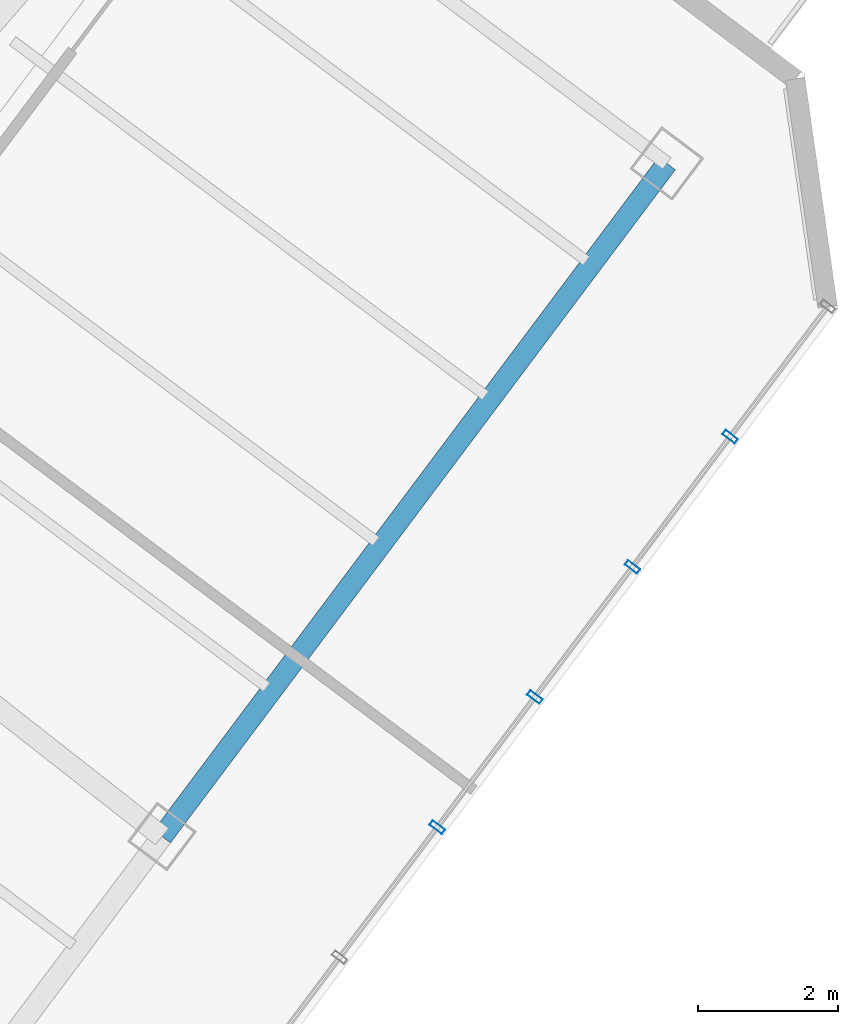
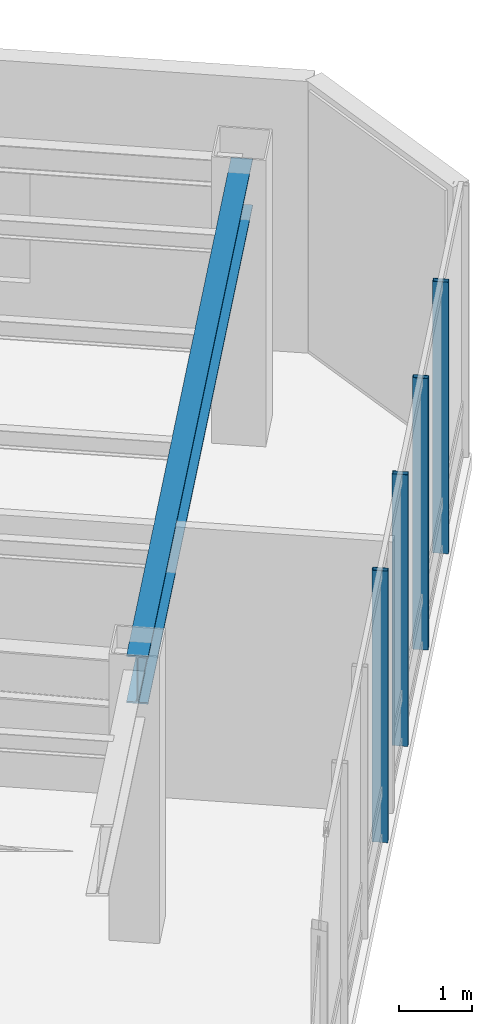
# One storey, part 9 of 21: 4 members, 1 beam, 1 element without a shape of its own.
"""IFC4 building model written with IfcOpenShell, lengths in metres."""

from ifc_helpers import new_model, si_unit, direction, frame, origin, origin_2d, place, context, subcontext, project, spatial, hollow_rectangle, i_section, extrude, material, layer, layer_set, material_profile, profile_set, type_object, element, aggregate, save


model = new_model("IFC4")

# Units and contexts
model_context = context("Model", 3, precision=1e-05, world=origin(), true_north=direction((0.0, 1.0)))
body_context = subcontext(model_context, "Body", "Model", "MODEL_VIEW")
ifc_project = project(units=[si_unit("LENGTHUNIT", "METRE"), si_unit("AREAUNIT", "SQUARE_METRE"), si_unit("VOLUMEUNIT", "CUBIC_METRE"), si_unit("PLANEANGLEUNIT", "RADIAN"), si_unit("MASSUNIT", "GRAM", prefix="KILO")], contexts=[model_context])

# Site, building, storey
site_placement = place(None, origin())
site = spatial("IfcSite", under=ifc_project, at=site_placement, CompositionType="ELEMENT")
building_placement = place(site_placement, origin())
building = spatial("IfcBuilding", under=site, at=building_placement, Name="Hatsunagi Terrace Concourse", CompositionType="ELEMENT")
storey_placement = place(building_placement, frame((0.0, 0.0, 186.75)))
storey = spatial("IfcBuildingStorey", under=building, at=storey_placement, Name="L49", CompositionType="ELEMENT", Elevation=186.75)

# Curtain wall, members
ifc_material_1 = material(Name="Anodised Aluminium Alloy 6063-T5", Category="aluminium")
ifc_layer = layer(ifc_material_1, 0.199951171875)
ifc_layer_set = layer_set([ifc_layer], Name="SkyLobbyAtrium_CW05")
curtain_wall_type = type_object("IfcCurtainWallType", Name="SkyLobbyAtrium_CW05", PredefinedType="NOTDEFINED", material=ifc_layer_set)
curtain_wall_placement = place(storey_placement, origin())
curtain_wall = element("IfcCurtainWall", 1, at=curtain_wall_placement, inside=storey, type_object=curtain_wall_type, Name="Unitised Curtain Wall CW-05 CW-L49-03", PredefinedType="NOTDEFINED")
ifc_material_2 = material(Name="Anodised Aluminium Alloy 6063-T5", Category="aluminium")
ifc_material_profile_1 = material_profile(ifc_material_2, hollow_rectangle(XDim=0.080078125, YDim=0.219970703125, WallThickness=0.0048828125, at=origin_2d()), Name="ALU-MUL-220x80x5")
ifc_profile_set_1 = profile_set([ifc_material_profile_1], Name="Anodised Aluminium Alloy 6063-T5")
member_type = type_object("IfcMemberType", Name="CurtainWallMullion_Heavy_220x80", PredefinedType="MULLION", material=ifc_profile_set_1)
member_1_placement = place(storey_placement, frame((59.301025390625, 24.10205078125, 0.0), z_axis=(0.0, 0.0, 1.0), x_axis=(-0.599969314634, -0.800023013105, 0.0)))
member_1 = element("IfcMember", 2, at=member_1_placement, type_object=member_type, Name="Curtain Wall Mullion MUL-01", PredefinedType="MULLION", context=body_context, shape_type="SweptSolid", body=[
    extrude(hollow_rectangle(XDim=0.080078125, YDim=0.219970703125, WallThickness=0.0048828125, at=origin_2d()), origin(), (0.0, 0.0, 1.0), 4.550048828125),
])
member_2_placement = place(storey_placement, frame((57.908935546875, 22.2451171875, 0.0), z_axis=(0.0, 0.0, 1.0), x_axis=(-0.599969314634, -0.800023013105, 0.0)))
member_2 = element("IfcMember", 3, at=member_2_placement, type_object=member_type, Name="Curtain Wall Mullion MUL-01", PredefinedType="MULLION", context=body_context, shape_type="SweptSolid", body=[
    extrude(hollow_rectangle(XDim=0.080078125, YDim=0.219970703125, WallThickness=0.0048828125, at=origin_2d()), origin(), (0.0, 0.0, 1.0), 4.550048828125),
])
member_3_placement = place(storey_placement, frame((56.51611328125, 20.388916015625, 0.0), z_axis=(0.0, 0.0, 1.0), x_axis=(-0.599969314634, -0.800023013105, 0.0)))
member_3 = element("IfcMember", 4, at=member_3_placement, type_object=member_type, Name="Curtain Wall Mullion MUL-01", PredefinedType="MULLION", context=body_context, shape_type="SweptSolid", body=[
    extrude(hollow_rectangle(XDim=0.080078125, YDim=0.219970703125, WallThickness=0.0048828125, at=origin_2d()), origin(), (0.0, 0.0, 1.0), 4.550048828125),
])
member_4_placement = place(storey_placement, frame((55.1240234375, 18.531982421875, 0.0), z_axis=(0.0, 0.0, 1.0), x_axis=(-0.599969314634, -0.800023013105, 0.0)))
member_4 = element("IfcMember", 5, at=member_4_placement, type_object=member_type, Name="Curtain Wall Mullion MUL-01", PredefinedType="MULLION", context=body_context, shape_type="SweptSolid", body=[
    extrude(hollow_rectangle(XDim=0.080078125, YDim=0.219970703125, WallThickness=0.0048828125, at=origin_2d()), origin(), (0.0, 0.0, 1.0), 4.550048828125),
])
aggregate(curtain_wall, [member_1, member_2, member_3, member_4])

# Beam
ifc_material_3 = material(Name="Steel SN490B", Category="steel")
ifc_material_profile_2 = material_profile(ifc_material_3, i_section(OverallWidth=0.300048828125, OverallDepth=0.800048828125, WebThickness=0.013916015625, FlangeThickness=0.02587890625, FilletRadius=0.02197265625, at=origin_2d()), Name="H-800x300x14x26")
ifc_profile_set_2 = profile_set([ifc_material_profile_2], Name="Steel SN490B")
beam_type = type_object("IfcBeamType", Name="SkyLobbyGirder_H_800x300", PredefinedType="BEAM", material=ifc_profile_set_2)
beam_placement = place(storey_placement, frame((51.199951171875, 18.39990234375, 4.14990234375), z_axis=(0.59999348959, 0.800004882766, 0.0), x_axis=(-0.800004882766, 0.59999348959, 0.0)))
element("IfcBeam", 6, at=beam_placement, inside=storey, type_object=beam_type, Name="Beam G-03 BM-L49-SET-2B", PredefinedType="BEAM", context=body_context, shape_type="SweptSolid", body=[
    extrude(i_section(OverallWidth=0.300048828125, OverallDepth=0.800048828125, WebThickness=0.013916015625, FlangeThickness=0.02587890625, FilletRadius=0.02197265625, at=origin_2d()), origin(), (0.0, 0.0, 1.0), 12.0),
])

save(model, "model.ifc")
